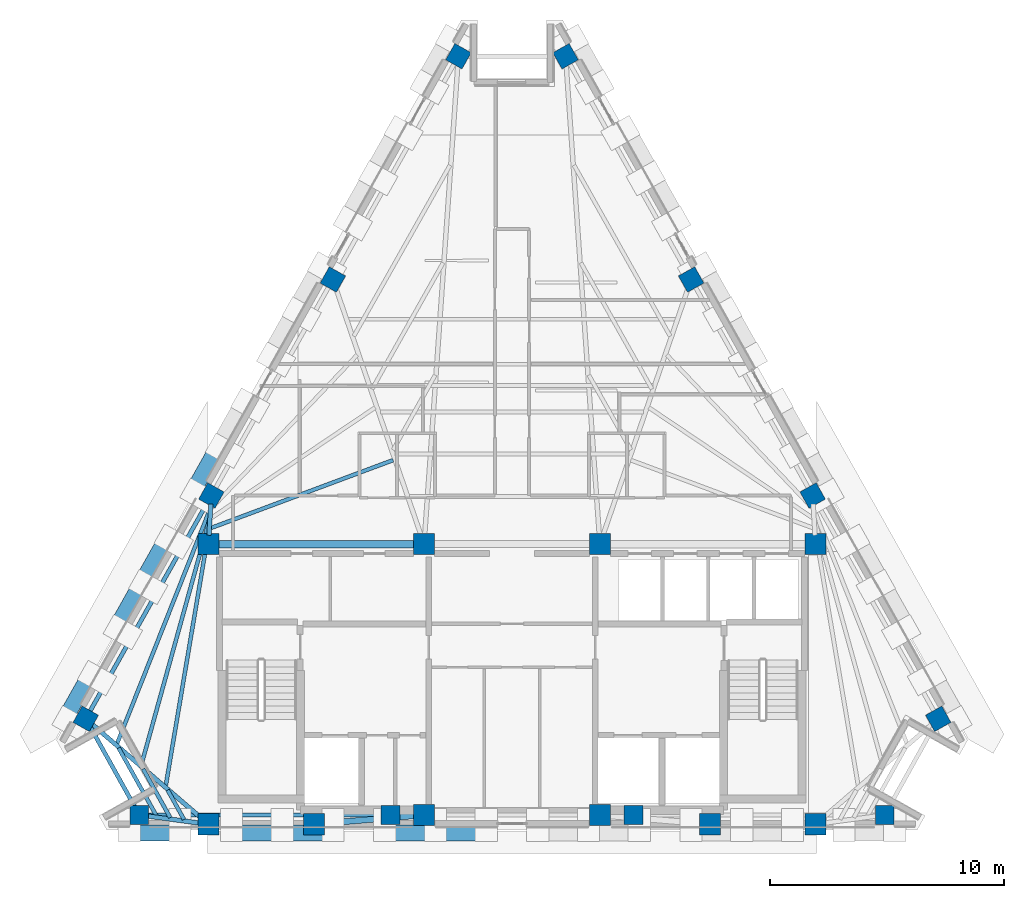
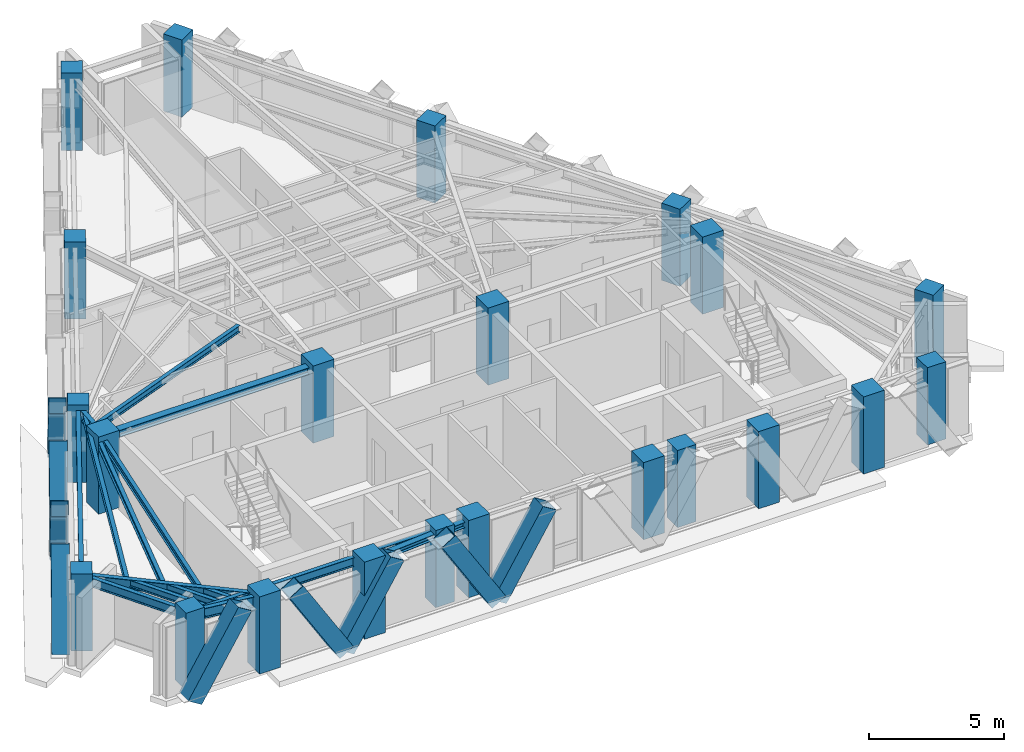
# One storey, part 1 of 9: 22 columns, 15 beams, 9 members.
"""IFC4 building model written with IfcOpenShell, lengths in metres."""

from ifc_helpers import new_model, si_unit, direction, frame, origin, origin_2d, place, context, subcontext, project, spatial, rectangle, hollow_rectangle, i_section, extrude, material, material_profile, profile_set, type_object, element, save


model = new_model("IFC4")

# Units and contexts
model_context = context("Model", 3, precision=1e-05, world=origin(), true_north=direction((0.0, 1.0)))
body_context = subcontext(model_context, "Body", "Model", "MODEL_VIEW")
ifc_project = project(units=[si_unit("LENGTHUNIT", "METRE"), si_unit("AREAUNIT", "SQUARE_METRE"), si_unit("VOLUMEUNIT", "CUBIC_METRE"), si_unit("PLANEANGLEUNIT", "RADIAN"), si_unit("MASSUNIT", "GRAM", prefix="KILO")], contexts=[model_context])

# Site, building, storey
site_placement = place(None, origin())
site = spatial("IfcSite", under=ifc_project, at=site_placement, CompositionType="ELEMENT")
building_placement = place(site_placement, origin())
building = spatial("IfcBuilding", under=site, at=building_placement, Name="Quenlor Broadcast Tower", CompositionType="ELEMENT")
storey_placement = place(building_placement, frame((0.0, 0.0, 228.89990234375)))
storey = spatial("IfcBuildingStorey", under=building, at=storey_placement, Name="L63", CompositionType="ELEMENT", Elevation=228.89990234375)

# Columns
ifc_material_1 = material(Name="Concrete C50/60", Category="concrete")
ifc_material_profile_1 = material_profile(ifc_material_1, rectangle(XDim=0.89990234375, YDim=0.89990234375, at=origin_2d()))
ifc_profile_set_1 = profile_set([ifc_material_profile_1], Name="Concrete C50/60 RC900x900")
column_type_1 = type_object("IfcColumnType", Name="Core Corner Column Upper Concrete C50/60 900", PredefinedType="COLUMN", material=ifc_profile_set_1)
for number, where, z_axis, x_axis, name in (
    (1, (-12.949951171875, -16.75, 0.0), (0.0, 0.0, 1.0), (1.0, 0.0, 0.0), "L63 Core Column CC1"),
    (2, (-8.449951171875, -16.75, 0.0), (0.0, 0.0, 1.0), (1.0, 0.0, 0.0), "L63 Core Column CC2"),
    (3, (-3.75, -16.35009765625, 0.0), (0.0, 0.0, 1.0), (1.0, 0.0, 0.0), "L63 Core Column CC3"),
    (4, (3.75, -16.35009765625, 0.0), (0.0, 0.0, 1.0), (1.0, 0.0, 0.0), "L63 Core Column CC4"),
    (5, (8.449951171875, -16.75, 0.0), (0.0, 0.0, 1.0), (1.0, 0.0, 0.0), "L63 Core Column CC5"),
    (6, (12.949951171875, -16.75, 0.0), (0.0, 0.0, 1.0), (1.0, 0.0, 0.0), "L63 Core Column CC6"),
    (7, (-12.949951171875, -4.800048828125, 0.0), (0.0, 0.0, 1.0), (1.0, 0.0, 0.0), "L63 Core Column CC7"),
    (8, (-3.75, -4.800048828125, 0.0), (0.0, 0.0, 1.0), (1.0, 0.0, 0.0), "L63 Core Column CC8"),
    (9, (3.75, -4.800048828125, 0.0), (0.0, 0.0, 1.0), (1.0, 0.0, 0.0), "L63 Core Column CC9"),
    (10, (12.949951171875, -4.800048828125, 0.0), (0.0, 0.0, 1.0), (1.0, 0.0, 0.0), "L63 Core Column CC10"),
):
    element("IfcColumn", number, at=place(storey_placement, frame(where, z_axis=z_axis, x_axis=x_axis)), inside=storey, type_object=column_type_1, Name=name, PredefinedType="COLUMN", context=body_context, shape_type="SweptSolid", body=[
        extrude(rectangle(XDim=0.89990234375, YDim=0.89990234375, at=origin_2d()), origin(), (0.0, 0.0, 1.0), 3.5),
    ])
ifc_material_2 = material(Name="Concrete C50/60", Category="concrete")
ifc_material_profile_2 = material_profile(ifc_material_2, rectangle(XDim=0.800048828125, YDim=0.800048828125, at=origin_2d()))
ifc_profile_set_2 = profile_set([ifc_material_profile_2], Name="Concrete C50/60 RC800x800")
column_type_2 = type_object("IfcColumnType", Name="Tower Perimeter Column Z5 Concrete C50/60 800", PredefinedType="COLUMN", material=ifc_profile_set_2)
for number, where, z_axis, x_axis, name in (
    (11, (-15.897705078125, -16.35009765625, 0.0), (0.0, 0.0, 1.0), (0.0, 1.0, 0.0), "L63 Perimeter Column S1"),
    (12, (-5.18408203125, -16.35009765625, 0.0), (0.0, 0.0, 1.0), (0.0, 1.0, 0.0), "L63 Perimeter Column S2"),
    (13, (5.18408203125, -16.35009765625, 0.0), (0.0, 0.0, 1.0), (0.0, 1.0, 0.0), "L63 Perimeter Column S3"),
    (14, (15.897705078125, -16.35009765625, 0.0), (0.0, 0.0, 1.0), (0.0, 1.0, 0.0), "L63 Perimeter Column S4"),
    (15, (18.182373046875, -12.25, 0.0), (0.0, 0.0, 1.0), (0.871575139605, 0.490261946333, 0.0), "L63 Perimeter Column NE1"),
    (16, (12.825439453125, -2.726806640625, 0.0), (0.0, 0.0, 1.0), (0.871575139605, 0.490261946333, 0.0), "L63 Perimeter Column NE2"),
    (17, (7.6416015625, 6.4892578125, 0.0), (0.0, 0.0, 1.0), (0.871575139605, 0.490261946333, 0.0), "L63 Perimeter Column NE3"),
    (18, (2.28466796875, 16.012451171875, 0.0), (0.0, 0.0, 1.0), (0.871575139605, 0.490261946333, 0.0), "L63 Perimeter Column NE4"),
    (19, (-2.28466796875, 16.012451171875, 0.0), (0.0, 0.0, 1.0), (-0.871575139605, 0.490261946333, 0.0), "L63 Perimeter Column NW1"),
    (20, (-7.6416015625, 6.4892578125, 0.0), (0.0, 0.0, 1.0), (-0.871575139605, 0.490261946333, 0.0), "L63 Perimeter Column NW2"),
    (21, (-12.825439453125, -2.726806640625, 0.0), (0.0, 0.0, 1.0), (-0.871575139605, 0.490261946333, 0.0), "L63 Perimeter Column NW3"),
    (22, (-18.182373046875, -12.25, 0.0), (0.0, 0.0, 1.0), (-0.871575139605, 0.490261946333, 0.0), "L63 Perimeter Column NW4"),
):
    element("IfcColumn", number, at=place(storey_placement, frame(where, z_axis=z_axis, x_axis=x_axis)), inside=storey, type_object=column_type_2, Name=name, PredefinedType="COLUMN", context=body_context, shape_type="SweptSolid", body=[
        extrude(rectangle(XDim=0.800048828125, YDim=0.800048828125, at=origin_2d()), origin(), (0.0, 0.0, 1.0), 3.5),
    ])

# Beams
ifc_material_3 = material(Name="Steel S355", Category="steel")
ifc_material_profile_3 = material_profile(ifc_material_3, i_section(OverallWidth=0.25390625, OverallDepth=0.25390625, WebThickness=0.008544921875, FlangeThickness=0.01416015625, FilletRadius=0.013916015625, at=origin_2d()))
ifc_profile_set_3 = profile_set([ifc_material_profile_3], Name="Steel S355 250UC72.9")
beam_type_1 = type_object("IfcBeamType", Name="Core Opening Lintel Beam Steel S355 250UC72.9", PredefinedType="LINTEL", material=ifc_profile_set_3)
beam_1_placement = place(storey_placement, frame((-8.09130859375, -16.719482421875, 3.123291015625), z_axis=(0.996399763903, 0.084779186679, 0.0), x_axis=(-0.084779186679, 0.996399763903, 0.0)))
element("IfcBeam", 23, at=beam_1_placement, inside=storey, type_object=beam_type_1, Name="L63 Core Opening Lintel Beam 4", PredefinedType="LINTEL", context=body_context, shape_type="SweptSolid", body=[
    extrude(i_section(OverallWidth=0.25390625, OverallDepth=0.25390625, WebThickness=0.008544921875, FlangeThickness=0.01416015625, FilletRadius=0.013916015625, at=origin_2d()), origin(), (0.0, 0.0, 1.0), 3.9970703125),
])
ifc_material_4 = material(Name="Steel S355", Category="steel")
ifc_material_profile_4 = material_profile(ifc_material_4, i_section(OverallWidth=0.306884765625, OverallDepth=0.314697265625, WebThickness=0.011962890625, FlangeThickness=0.018798828125, FilletRadius=0.0166015625, at=origin_2d()))
ifc_profile_set_4 = profile_set([ifc_material_profile_4], Name="Steel S355 310UC118")
beam_type_2 = type_object("IfcBeamType", Name="Core Tie Beam Steel S355 310UC118", PredefinedType="BEAM", material=ifc_profile_set_4)
beam_2_placement = place(storey_placement, frame((-12.590087890625, -4.800048828125, 3.0927734375), z_axis=(1.0, 0.0, 0.0), x_axis=(0.0, 1.0, 0.0)))
element("IfcBeam", 24, at=beam_2_placement, inside=storey, type_object=beam_type_2, Name="L63 Core Tie Beam 1", PredefinedType="BEAM", context=body_context, shape_type="SweptSolid", body=[
    extrude(i_section(OverallWidth=0.306884765625, OverallDepth=0.314697265625, WebThickness=0.011962890625, FlangeThickness=0.018798828125, FilletRadius=0.0166015625, at=origin_2d()), origin(), (0.0, 0.0, 1.0), 8.47998046875),
])

# Members
ifc_material_5 = material(Name="Steel S355", Category="steel")
ifc_material_profile_5 = material_profile(ifc_material_5, hollow_rectangle(XDim=0.679931640625, YDim=0.679931640625, WallThickness=0.02001953125, at=origin_2d()))
ifc_profile_set_5 = profile_set([ifc_material_profile_5], Name="Steel S355 RHS680x680x20")
member_type = type_object("IfcMemberType", Name="Perimeter Diagonal Lattice Brace Z5-Crown Steel S355 RHS680x20", PredefinedType="BRACE", material=ifc_profile_set_5)
member_1_placement = place(storey_placement, frame((-3.2529296875, -17.1201171875, -0.119873046875), z_axis=(0.523616565236, 0.0, 0.85195404372), x_axis=(0.0, 1.0, 0.0)))
element("IfcMember", 25, at=member_1_placement, inside=storey, type_object=member_type, Name="L63 Perimeter Diamond Lattice S-C3B", PredefinedType="BRACE", context=body_context, shape_type="SweptSolid", body=[
    extrude(hollow_rectangle(XDim=0.679931640625, YDim=0.679931640625, WallThickness=0.02001953125, at=origin_2d()), origin(), (0.0, 0.0, 1.0), 4.108154296875),
])
member_2_placement = place(storey_placement, frame((-3.279052734375, -17.1201171875, -0.119873046875), z_axis=(-0.5236596973, 0.0, 0.851927532965), x_axis=(0.0, -1.0, 0.0)))
element("IfcMember", 26, at=member_2_placement, inside=storey, type_object=member_type, Name="L63 Perimeter Diamond Lattice S-C4S", PredefinedType="BRACE", context=body_context, shape_type="SweptSolid", body=[
    extrude(hollow_rectangle(XDim=0.679931640625, YDim=0.679931640625, WallThickness=0.02001953125, at=origin_2d()), origin(), (0.0, 0.0, 1.0), 4.1083984375),
])
member_3_placement = place(storey_placement, frame((-9.784912109375, -17.1201171875, -0.119873046875), z_axis=(0.523616565236, 0.0, 0.85195404372), x_axis=(0.0, 1.0, 0.0)))
element("IfcMember", 27, at=member_3_placement, inside=storey, type_object=member_type, Name="L63 Perimeter Diamond Lattice S-C4B", PredefinedType="BRACE", context=body_context, shape_type="SweptSolid", body=[
    extrude(hollow_rectangle(XDim=0.679931640625, YDim=0.679931640625, WallThickness=0.02001953125, at=origin_2d()), origin(), (0.0, 0.0, 1.0), 4.108154296875),
])
member_4_placement = place(storey_placement, frame((-9.81103515625, -17.1201171875, -0.119873046875), z_axis=(-0.5236596973, 0.0, 0.851927532965), x_axis=(0.0, -1.0, 0.0)))
element("IfcMember", 28, at=member_4_placement, inside=storey, type_object=member_type, Name="L63 Perimeter Diamond Lattice S-C5S", PredefinedType="BRACE", context=body_context, shape_type="SweptSolid", body=[
    extrude(hollow_rectangle(XDim=0.679931640625, YDim=0.679931640625, WallThickness=0.02001953125, at=origin_2d()), origin(), (0.0, 0.0, 1.0), 4.1083984375),
])
member_5_placement = place(storey_placement, frame((-16.31689453125, -17.1201171875, -0.119873046875), z_axis=(0.523616565236, 0.0, 0.85195404372), x_axis=(0.0, 1.0, 0.0)))
element("IfcMember", 29, at=member_5_placement, inside=storey, type_object=member_type, Name="L63 Perimeter Diamond Lattice S-C5B", PredefinedType="BRACE", context=body_context, shape_type="SweptSolid", body=[
    extrude(hollow_rectangle(XDim=0.679931640625, YDim=0.679931640625, WallThickness=0.02001953125, at=origin_2d()), origin(), (0.0, 0.0, 1.0), 4.108154296875),
])
for number, where, z_axis, x_axis, name in (
    (30, (-19.072265625, -12.261474609375, -0.119873046875), (0.260563732169, 0.463283497491, 0.847038926161), (-0.871602253711, 0.49021374045, 0.0), "L63 Perimeter Diamond Lattice NW-C1S"),
    (31, (-15.815673828125, -6.471923828125, -0.119873046875), (-0.260618804175, -0.463276364439, 0.847025884529), (0.8715547569, -0.490298180422, 0.0), "L63 Perimeter Diamond Lattice NW-C1B"),
    (32, (-15.802490234375, -6.44873046875, -0.119873046875), (0.260563732169, 0.463283497491, 0.847038926161), (-0.871602253711, 0.49021374045, 0.0), "L63 Perimeter Diamond Lattice NW-C2S"),
    (33, (-12.5458984375, -0.6591796875, -0.119873046875), (-0.260618804175, -0.463276364439, 0.847025884529), (0.8715547569, -0.490298180422, 0.0), "L63 Perimeter Diamond Lattice NW-C2B"),
):
    element("IfcMember", number, at=place(storey_placement, frame(where, z_axis=z_axis, x_axis=x_axis)), inside=storey, type_object=member_type, Name=name, PredefinedType="BRACE", context=body_context, shape_type="SweptSolid", body=[
        extrude(hollow_rectangle(XDim=0.679931640625, YDim=0.679931640625, WallThickness=0.02001953125, at=origin_2d()), origin(), (0.0, 0.0, 1.0), 4.132080078125),
    ])

# Beams
ifc_material_6 = material(Name="Steel S355", Category="steel")
ifc_material_profile_6 = material_profile(ifc_material_6, i_section(OverallWidth=0.177978515625, OverallDepth=0.406494140625, WebThickness=0.0078125, FlangeThickness=0.0126953125, FilletRadius=0.011474609375, at=origin_2d()))
ifc_profile_set_6 = profile_set([ifc_material_profile_6], Name="Steel S355 410UB59.7")
beam_type_3 = type_object("IfcBeamType", Name="Perimeter Spandrel Beam Z5 Steel S355 410UB59.7", PredefinedType="SPANDREL", material=ifc_profile_set_6)
beam_3_placement = place(storey_placement, frame((-15.53759765625, -16.35009765625, 3.046875), z_axis=(1.0, 0.0, 0.0), x_axis=(0.0, 1.0, 0.0)))
element("IfcBeam", 34, at=beam_3_placement, inside=storey, type_object=beam_type_3, Name="L63 Spandrel Beam S1-S2", PredefinedType="SPANDREL", context=body_context, shape_type="SweptSolid", body=[
    extrude(i_section(OverallWidth=0.177978515625, OverallDepth=0.406494140625, WebThickness=0.0078125, FlangeThickness=0.0126953125, FilletRadius=0.011474609375, at=origin_2d()), origin(), (0.0, 0.0, 1.0), 9.99365234375),
])
beam_4_placement = place(storey_placement, frame((-13.001953125, -3.04052734375, 3.046875), z_axis=(-0.490274867878, -0.871567871096, 0.0), x_axis=(0.871567871096, -0.490274867878, 0.0)))
element("IfcBeam", 35, at=beam_4_placement, inside=storey, type_object=beam_type_3, Name="L63 Spandrel Beam NW3-NW4", PredefinedType="SPANDREL", context=body_context, shape_type="SweptSolid", body=[
    extrude(i_section(OverallWidth=0.177978515625, OverallDepth=0.406494140625, WebThickness=0.0078125, FlangeThickness=0.0126953125, FilletRadius=0.011474609375, at=origin_2d()), origin(), (0.0, 0.0, 1.0), 10.206298828125),
])
beam_5_placement = place(storey_placement, frame((-18.007080078125, -12.564453125, 3.046875), z_axis=(0.486800618374, -0.873513112638, 0.0), x_axis=(0.873513112638, 0.486800618374, 0.0)))
element("IfcBeam", 36, at=beam_5_placement, inside=storey, type_object=beam_type_3, Name="L63 Spandrel Beam NW4-S1", PredefinedType="SPANDREL", context=body_context, shape_type="SweptSolid", body=[
    extrude(i_section(OverallWidth=0.177978515625, OverallDepth=0.406494140625, WebThickness=0.0078125, FlangeThickness=0.0126953125, FilletRadius=0.011474609375, at=origin_2d()), origin(), (0.0, 0.0, 1.0), 3.9736328125),
])
ifc_material_7 = material(Name="Steel S355", Category="steel")
ifc_material_profile_7 = material_profile(ifc_material_7, i_section(OverallWidth=0.166015625, OverallDepth=0.30712890625, WebThickness=0.006591796875, FlangeThickness=0.01171875, FilletRadius=0.011474609375, at=origin_2d()))
ifc_profile_set_7 = profile_set([ifc_material_profile_7], Name="Steel S355 310UB46.2")
beam_type_4 = type_object("IfcBeamType", Name="Tower Composite Joist Z4-Z5 Steel S355 310UB46.2", PredefinedType="JOIST", material=ifc_profile_set_7)
beam_6_placement = place(storey_placement, frame((-12.835205078125, -4.108642578125, 3.096435546875), z_axis=(0.937062080226, 0.349162795559, 0.0), x_axis=(-0.349162795559, 0.937062080226, 0.0)))
element("IfcBeam", 37, at=beam_6_placement, inside=storey, type_object=beam_type_4, Name="L63 Secondary Composite Joist 7", PredefinedType="JOIST", context=body_context, shape_type="SweptSolid", body=[
    extrude(i_section(OverallWidth=0.166015625, OverallDepth=0.30712890625, WebThickness=0.006591796875, FlangeThickness=0.01171875, FilletRadius=0.011474609375, at=origin_2d()), origin(), (0.0, 0.0, 1.0), 8.286376953125),
])
beam_7_placement = place(storey_placement, frame((-14.76806640625, -15.09619140625, 3.096435546875), z_axis=(0.166553293246, 0.986032454085, 0.0), x_axis=(-0.986032454085, 0.166553293246, 0.0)))
element("IfcBeam", 38, at=beam_7_placement, inside=storey, type_object=beam_type_4, Name="L63 Secondary Composite Joist 13", PredefinedType="JOIST", context=body_context, shape_type="SweptSolid", body=[
    extrude(i_section(OverallWidth=0.166015625, OverallDepth=0.30712890625, WebThickness=0.006591796875, FlangeThickness=0.01171875, FilletRadius=0.011474609375, at=origin_2d()), origin(), (0.0, 0.0, 1.0), 11.097900390625),
])
beam_8_placement = place(storey_placement, frame((-15.806396484375, -14.197998046875, 3.096435546875), z_axis=(0.26744552871, 0.96357298072, 0.0), x_axis=(-0.96357298072, 0.26744552871, 0.0)))
element("IfcBeam", 39, at=beam_8_placement, inside=storey, type_object=beam_type_4, Name="L63 Secondary Composite Joist 14", PredefinedType="JOIST", context=body_context, shape_type="SweptSolid", body=[
    extrude(i_section(OverallWidth=0.166015625, OverallDepth=0.30712890625, WebThickness=0.006591796875, FlangeThickness=0.01171875, FilletRadius=0.011474609375, at=origin_2d()), origin(), (0.0, 0.0, 1.0), 10.856689453125),
])
beam_9_placement = place(storey_placement, frame((-16.8447265625, -13.300537109375, 3.096435546875), z_axis=(0.368680258049, 0.929556274426, 0.0), x_axis=(-0.929556274426, 0.368680258049, 0.0)))
element("IfcBeam", 40, at=beam_9_placement, inside=storey, type_object=beam_type_4, Name="L63 Secondary Composite Joist 15", PredefinedType="JOIST", context=body_context, shape_type="SweptSolid", body=[
    extrude(i_section(OverallWidth=0.166015625, OverallDepth=0.30712890625, WebThickness=0.006591796875, FlangeThickness=0.01171875, FilletRadius=0.011474609375, at=origin_2d()), origin(), (0.0, 0.0, 1.0), 10.737548828125),
])
beam_10_placement = place(storey_placement, frame((-13.9912109375, -16.544189453125, 3.096435546875), z_axis=(-0.486624304452, 0.873611347406, 0.0), x_axis=(-0.873611347406, -0.486624304452, 0.0)))
element("IfcBeam", 41, at=beam_10_placement, inside=storey, type_object=beam_type_4, Name="L63 Secondary Composite Joist 19", PredefinedType="JOIST", context=body_context, shape_type="SweptSolid", body=[
    extrude(i_section(OverallWidth=0.166015625, OverallDepth=0.30712890625, WebThickness=0.006591796875, FlangeThickness=0.01171875, FilletRadius=0.011474609375, at=origin_2d()), origin(), (0.0, 0.0, 1.0), 1.435791015625),
])
beam_11_placement = place(storey_placement, frame((-14.58056640625, -16.464111328125, 3.096435546875), z_axis=(-0.486820963037, 0.873501774439, 0.0), x_axis=(-0.873501774439, -0.486820963037, 0.0)))
element("IfcBeam", 42, at=beam_11_placement, inside=storey, type_object=beam_type_4, Name="L63 Secondary Composite Joist 20", PredefinedType="JOIST", context=body_context, shape_type="SweptSolid", body=[
    extrude(i_section(OverallWidth=0.166015625, OverallDepth=0.30712890625, WebThickness=0.006591796875, FlangeThickness=0.01171875, FilletRadius=0.011474609375, at=origin_2d()), origin(), (0.0, 0.0, 1.0), 2.37451171875),
])
beam_12_placement = place(storey_placement, frame((-15.170166015625, -16.384033203125, 3.096435546875), z_axis=(-0.486762404011, 0.873534408046, 0.0), x_axis=(-0.873534408046, -0.486762404011, 0.0)))
element("IfcBeam", 43, at=beam_12_placement, inside=storey, type_object=beam_type_4, Name="L63 Secondary Composite Joist 21", PredefinedType="JOIST", context=body_context, shape_type="SweptSolid", body=[
    extrude(i_section(OverallWidth=0.166015625, OverallDepth=0.30712890625, WebThickness=0.006591796875, FlangeThickness=0.01171875, FilletRadius=0.011474609375, at=origin_2d()), origin(), (0.0, 0.0, 1.0), 3.313232421875),
])
ifc_material_8 = material(Name="Steel S355", Category="steel")
ifc_material_profile_8 = material_profile(ifc_material_8, i_section(OverallWidth=0.19091796875, OverallDepth=0.46044921875, WebThickness=0.010009765625, FlangeThickness=0.01611328125, FilletRadius=0.011474609375, at=origin_2d()))
ifc_profile_set_8 = profile_set([ifc_material_profile_8], Name="Steel S355 460UB82.1")
beam_type_5 = type_object("IfcBeamType", Name="Tower Primary Floor Beam Z5 Steel S355 460UB82.1", PredefinedType="BEAM", material=ifc_profile_set_8)
beam_13_placement = place(storey_placement, frame((-15.541015625, -16.3984375, 3.02001953125), z_axis=(0.990917044125, -0.134474576267, 0.0), x_axis=(0.134474576267, 0.990917044125, 0.0)))
element("IfcBeam", 44, at=beam_13_placement, inside=storey, type_object=beam_type_5, Name="L63 Primary Radial Beam S1", PredefinedType="BEAM", context=body_context, shape_type="SweptSolid", body=[
    extrude(i_section(OverallWidth=0.19091796875, OverallDepth=0.46044921875, WebThickness=0.010009765625, FlangeThickness=0.01611328125, FilletRadius=0.011474609375, at=origin_2d()), origin(), (0.0, 0.0, 1.0), 2.23486328125),
])
beam_14_placement = place(storey_placement, frame((-12.84716796875, -3.086181640625, 3.02001953125), z_axis=(-0.059899569349, -0.998204408722, 0.0), x_axis=(0.998204408722, -0.059899569349, 0.0)))
element("IfcBeam", 45, at=beam_14_placement, inside=storey, type_object=beam_type_5, Name="L63 Primary Radial Beam NW3", PredefinedType="BEAM", context=body_context, shape_type="SweptSolid", body=[
    extrude(i_section(OverallWidth=0.19091796875, OverallDepth=0.46044921875, WebThickness=0.010009765625, FlangeThickness=0.01611328125, FilletRadius=0.011474609375, at=origin_2d()), origin(), (0.0, 0.0, 1.0), 1.3369140625),
])
beam_15_placement = place(storey_placement, frame((-17.909423828125, -12.484619140625, 3.02001953125), z_axis=(0.75817030855, -0.652056579779, 0.0), x_axis=(0.652056579779, 0.75817030855, 0.0)))
element("IfcBeam", 46, at=beam_15_placement, inside=storey, type_object=beam_type_5, Name="L63 Primary Radial Beam NW4", PredefinedType="BEAM", context=body_context, shape_type="SweptSolid", body=[
    extrude(i_section(OverallWidth=0.19091796875, OverallDepth=0.46044921875, WebThickness=0.010009765625, FlangeThickness=0.01611328125, FilletRadius=0.011474609375, at=origin_2d()), origin(), (0.0, 0.0, 1.0), 6.161376953125),
])

save(model, "model.ifc")
